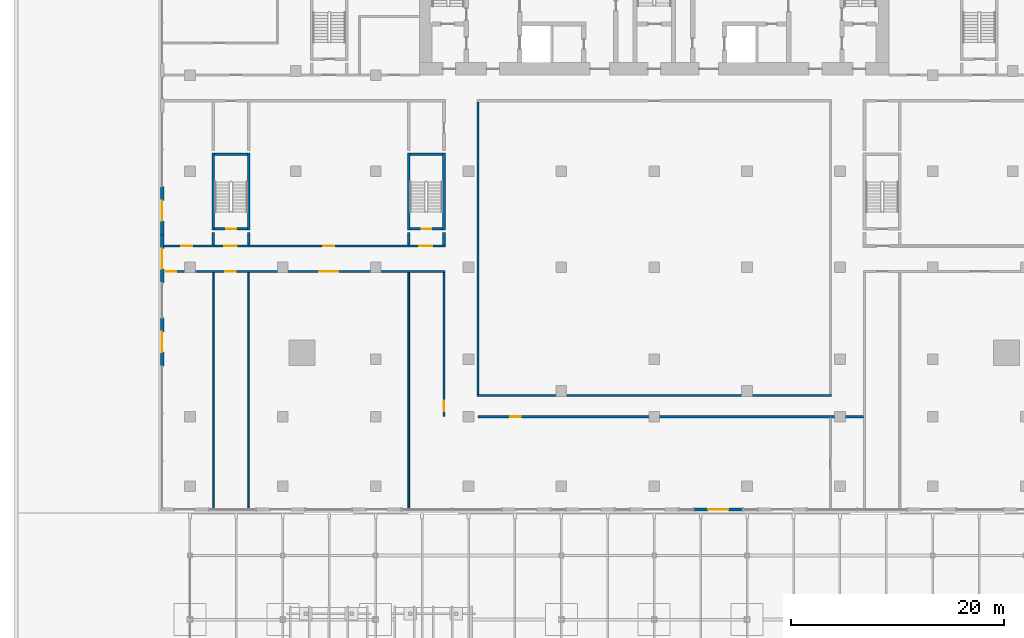
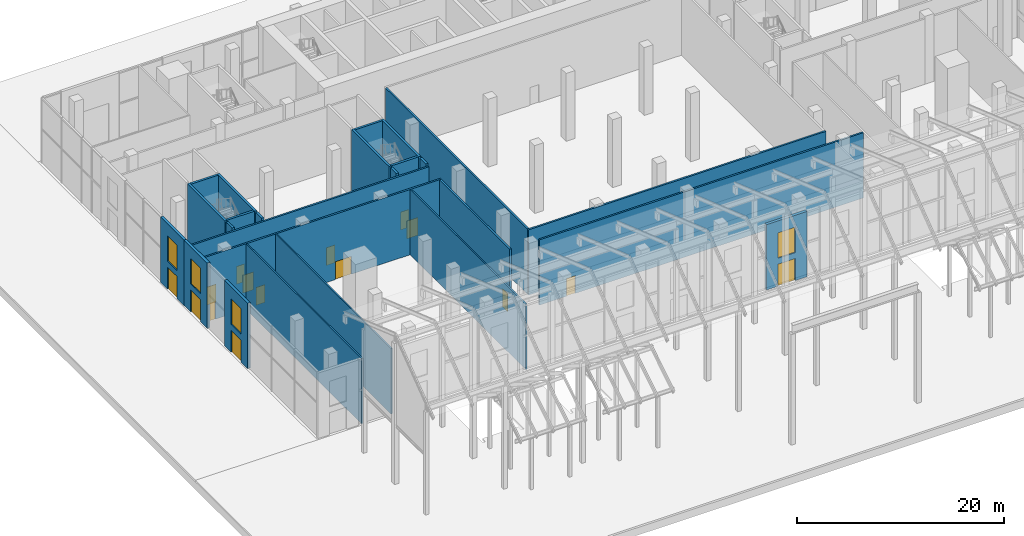
# One storey, part 21 of 31: 25 walls, 15 doors, 4 windows, 19 openings.
"""IFC4 building model written with IfcOpenShell, lengths in metres."""

from ifc_helpers import new_model, si_unit, direction, frame, frame_2d, origin, place, context, subcontext, project, spatial, rectangle, extrude, material, layer, layer_set, layer_usage, type_object, element, fill, save


model = new_model("IFC4")

# Units and contexts
model_context = context("Model", 3, precision=1e-05, world=origin(), true_north=direction((0.0, 1.0)))
body_context = subcontext(model_context, "Body", "Model", "MODEL_VIEW")
ifc_project = project(units=[si_unit("LENGTHUNIT", "METRE"), si_unit("AREAUNIT", "SQUARE_METRE"), si_unit("VOLUMEUNIT", "CUBIC_METRE"), si_unit("PLANEANGLEUNIT", "RADIAN"), si_unit("MASSUNIT", "GRAM", prefix="KILO")], contexts=[model_context])

# Site, building, storey
site_placement = place(None, origin())
site = spatial("IfcSite", under=ifc_project, at=site_placement, CompositionType="ELEMENT")
building_placement = place(site_placement, origin())
building = spatial("IfcBuilding", under=site, at=building_placement, Name="Bicima Exchange Tower", CompositionType="ELEMENT")
storey_placement = place(building_placement, origin())
storey = spatial("IfcBuildingStorey", under=building, at=storey_placement, Name="L00", CompositionType="ELEMENT", Elevation=0.0)

# Wall, openings, window, door
ifc_material_1 = material(Name="Concrete C40/50", Category="concrete")
ifc_layer_1 = layer(ifc_material_1, 0.3)
ifc_layer_set_1 = layer_set([ifc_layer_1], Name="Concrete C40/50")
ifc_layer_usage = layer_usage(ifc_layer_set_1, "AXIS2", "POSITIVE", -0.15)
wall_type_1 = type_object("IfcWallType", Name="Entrance frame wall 300", PredefinedType="STANDARD", material=ifc_layer_set_1)
wall_1_placement = place(storey_placement, frame((8.25, -53.699951171875, 0.0), z_axis=(0.0, 0.0, 1.0), x_axis=(-1.0, 0.0, 0.0)))
wall_1 = element("IfcWall", 1, at=wall_1_placement, inside=storey, type_object=wall_type_1, material=ifc_layer_usage, Name="Entrance frame wall L00 south 13", PredefinedType="STANDARD", context=body_context, shape_type="SweptSolid", body=[
    extrude(rectangle(XDim=4.5, YDim=0.300048828125, at=frame_2d((2.25, 0.0))), origin(), (0.0, 0.0, 1.0), 7.699951171875),
])
opening_1_placement = place(wall_1_placement, frame((1.300048828125, 0.0, 0.0)))
opening_1 = element("IfcOpeningElement", 2, at=opening_1_placement, cuts=wall_1, Name="Opening DX2", PredefinedType="OPENING", context=body_context, shape_type="SweptSolid", body=[
    extrude(rectangle(XDim=1.89990234375, YDim=2.60009765625, at=frame_2d((0.949951171875, 1.300048828125))), frame((0.0, 0.162109375, 0.0), z_axis=(0.0, -1.0, 0.0), x_axis=(1.0, 0.0, 0.0)), (0.0, 0.0, 1.0), 0.323974609375),
])
opening_2_placement = place(wall_1_placement, frame((1.300048828125, 0.0, 3.300048828125)))
opening_2 = element("IfcOpeningElement", 3, at=opening_2_placement, cuts=wall_1, Name="Opening WX1", PredefinedType="OPENING", context=body_context, shape_type="SweptSolid", body=[
    extrude(rectangle(XDim=1.89990234375, YDim=3.0, at=frame_2d((0.949951171875, 1.5))), frame((0.0, 0.162109375, 0.0), z_axis=(0.0, -1.0, 0.0), x_axis=(1.0, 0.0, 0.0)), (0.0, 0.0, 1.0), 0.323974609375),
])
ifc_material_2 = material(Name="Clear low-iron glass", Category="glass")
window_type = type_object("IfcWindowType", Name="Entrance transom light 1900 x 3000", PartitioningType="SINGLE_PANEL", PredefinedType="WINDOW", material=ifc_material_2)
window_1_placement = place(opening_2_placement, origin())
window_1 = element("IfcWindow", 4, at=window_1_placement, inside=storey, type_object=window_type, Name="Entrance transom light L00 south 13", OverallHeight=3.0, OverallWidth=1.89990234375, PartitioningType="SINGLE_PANEL", PredefinedType="WINDOW", context=body_context, shape_type="SweptSolid", body=[
    extrude(rectangle(XDim=1.89990234375, YDim=3.0, at=frame_2d((0.949951171875, 1.5))), frame((0.0, 0.030029296875, 0.0), z_axis=(0.0, -1.0, 0.0), x_axis=(1.0, 0.0, 0.0)), (0.0, 0.0, 1.0), 0.06005859375),
])
fill(opening_2, window_1)
ifc_material_3 = material(Name="Anodised bronze aluminium and bonded safety glass", Category="aluminium")
door_type_1 = type_object("IfcDoorType", Name="Exit door, double leaf 1900 x 2600", OperationType="DOUBLE_DOOR_DOUBLE_SWING", PredefinedType="DOOR", material=ifc_material_3)
door_1_placement = place(opening_1_placement, origin())
door_1 = element("IfcDoor", 5, at=door_1_placement, inside=storey, type_object=door_type_1, Name="Exit door L00 south 13", OperationType="SINGLE_SWING_LEFT", OverallHeight=2.60009765625, OverallWidth=1.89990234375, PredefinedType="DOOR", context=body_context, shape_type="SweptSolid", body=[
    extrude(rectangle(XDim=1.89990234375, YDim=2.60009765625, at=frame_2d((0.949951171875, 1.300048828125))), frame((0.0, 0.02490234375, 0.0), z_axis=(0.0, -1.0, 0.0), x_axis=(1.0, 0.0, 0.0)), (0.0, 0.0, 1.0), 0.050048828125),
])
fill(opening_1, door_1)

wall_2_placement = place(storey_placement, frame((-46.10009765625, -27.949951171875, 0.0), z_axis=(0.0, 0.0, 1.0), x_axis=(0.0, 1.0, 0.0)))
wall_2 = element("IfcWall", 6, at=wall_2_placement, inside=storey, type_object=wall_type_1, material=ifc_layer_usage, Name="Entrance frame wall L00 west 4", PredefinedType="STANDARD", context=body_context, shape_type="SweptSolid", body=[
    extrude(rectangle(XDim=4.5, YDim=0.300048828125, at=frame_2d((2.25, 0.0))), origin(), (0.0, 0.0, 1.0), 7.699951171875),
])
opening_3_placement = place(wall_2_placement, frame((1.300048828125, 0.0, 0.0)))
opening_3 = element("IfcOpeningElement", 7, at=opening_3_placement, cuts=wall_2, Name="Opening DX2", PredefinedType="OPENING", context=body_context, shape_type="SweptSolid", body=[
    extrude(rectangle(XDim=1.89990234375, YDim=2.60009765625, at=frame_2d((0.949951171875, 1.300048828125))), frame((0.0, 0.162109375, 0.0), z_axis=(0.0, -1.0, 0.0), x_axis=(1.0, 0.0, 0.0)), (0.0, 0.0, 1.0), 0.323974609375),
])
opening_4_placement = place(wall_2_placement, frame((1.300048828125, 0.0, 3.300048828125)))
opening_4 = element("IfcOpeningElement", 8, at=opening_4_placement, cuts=wall_2, Name="Opening WX1", PredefinedType="OPENING", context=body_context, shape_type="SweptSolid", body=[
    extrude(rectangle(XDim=1.89990234375, YDim=3.0, at=frame_2d((0.949951171875, 1.5))), frame((0.0, 0.162109375, 0.0), z_axis=(0.0, -1.0, 0.0), x_axis=(1.0, 0.0, 0.0)), (0.0, 0.0, 1.0), 0.323974609375),
])
window_2_placement = place(opening_4_placement, origin())
window_2 = element("IfcWindow", 9, at=window_2_placement, inside=storey, type_object=window_type, Name="Entrance transom light L00 west 4", OverallHeight=3.0, OverallWidth=1.89990234375, PartitioningType="SINGLE_PANEL", PredefinedType="WINDOW", context=body_context, shape_type="SweptSolid", body=[
    extrude(rectangle(XDim=1.89990234375, YDim=3.0, at=frame_2d((0.949951171875, 1.5))), frame((0.0, 0.030029296875, 0.0), z_axis=(0.0, -1.0, 0.0), x_axis=(1.0, 0.0, 0.0)), (0.0, 0.0, 1.0), 0.06005859375),
])
fill(opening_4, window_2)
door_2_placement = place(opening_3_placement, origin())
door_2 = element("IfcDoor", 10, at=door_2_placement, inside=storey, type_object=door_type_1, Name="Exit door L00 west 4", OperationType="SINGLE_SWING_LEFT", OverallHeight=2.60009765625, OverallWidth=1.89990234375, PredefinedType="DOOR", context=body_context, shape_type="SweptSolid", body=[
    extrude(rectangle(XDim=1.89990234375, YDim=2.60009765625, at=frame_2d((0.949951171875, 1.300048828125))), frame((0.0, 0.02490234375, 0.0), z_axis=(0.0, -1.0, 0.0), x_axis=(1.0, 0.0, 0.0)), (0.0, 0.0, 1.0), 0.050048828125),
])
fill(opening_3, door_2)

wall_3_placement = place(storey_placement, frame((-46.10009765625, -32.449951171875, 0.0), z_axis=(0.0, 0.0, 1.0), x_axis=(0.0, 1.0, 0.0)))
wall_3 = element("IfcWall", 11, at=wall_3_placement, inside=storey, type_object=wall_type_1, material=ifc_layer_usage, Name="Entrance frame wall L00 west 5", PredefinedType="STANDARD", context=body_context, shape_type="SweptSolid", body=[
    extrude(rectangle(XDim=4.5, YDim=0.300048828125, at=frame_2d((2.25, 0.0))), origin(), (0.0, 0.0, 1.0), 7.699951171875),
])
opening_5_placement = place(wall_3_placement, frame((1.300048828125, 0.0, 0.0)))
opening_5 = element("IfcOpeningElement", 12, at=opening_5_placement, cuts=wall_3, Name="Opening DX2", PredefinedType="OPENING", context=body_context, shape_type="SweptSolid", body=[
    extrude(rectangle(XDim=1.89990234375, YDim=2.60009765625, at=frame_2d((0.949951171875, 1.300048828125))), frame((0.0, 0.162109375, 0.0), z_axis=(0.0, -1.0, 0.0), x_axis=(1.0, 0.0, 0.0)), (0.0, 0.0, 1.0), 0.323974609375),
])
opening_6_placement = place(wall_3_placement, frame((1.300048828125, 0.0, 3.300048828125)))
opening_6 = element("IfcOpeningElement", 13, at=opening_6_placement, cuts=wall_3, Name="Opening WX1", PredefinedType="OPENING", context=body_context, shape_type="SweptSolid", body=[
    extrude(rectangle(XDim=1.89990234375, YDim=3.0, at=frame_2d((0.949951171875, 1.5))), frame((0.0, 0.162109375, 0.0), z_axis=(0.0, -1.0, 0.0), x_axis=(1.0, 0.0, 0.0)), (0.0, 0.0, 1.0), 0.323974609375),
])
window_3_placement = place(opening_6_placement, origin())
window_3 = element("IfcWindow", 14, at=window_3_placement, inside=storey, type_object=window_type, Name="Entrance transom light L00 west 5", OverallHeight=3.0, OverallWidth=1.89990234375, PartitioningType="SINGLE_PANEL", PredefinedType="WINDOW", context=body_context, shape_type="SweptSolid", body=[
    extrude(rectangle(XDim=1.89990234375, YDim=3.0, at=frame_2d((0.949951171875, 1.5))), frame((0.0, 0.030029296875, 0.0), z_axis=(0.0, -1.0, 0.0), x_axis=(1.0, 0.0, 0.0)), (0.0, 0.0, 1.0), 0.06005859375),
])
fill(opening_6, window_3)
door_3_placement = place(opening_5_placement, origin())
door_3 = element("IfcDoor", 15, at=door_3_placement, inside=storey, type_object=door_type_1, Name="Exit door L00 west 5", OperationType="SINGLE_SWING_LEFT", OverallHeight=2.60009765625, OverallWidth=1.89990234375, PredefinedType="DOOR", context=body_context, shape_type="SweptSolid", body=[
    extrude(rectangle(XDim=1.89990234375, YDim=2.60009765625, at=frame_2d((0.949951171875, 1.300048828125))), frame((0.0, 0.02490234375, 0.0), z_axis=(0.0, -1.0, 0.0), x_axis=(1.0, 0.0, 0.0)), (0.0, 0.0, 1.0), 0.050048828125),
])
fill(opening_5, door_3)

wall_4_placement = place(storey_placement, frame((-46.10009765625, -40.25, 0.0), z_axis=(0.0, 0.0, 1.0), x_axis=(0.0, 1.0, 0.0)))
wall_4 = element("IfcWall", 16, at=wall_4_placement, inside=storey, type_object=wall_type_1, material=ifc_layer_usage, Name="Entrance frame wall L00 west 7", PredefinedType="STANDARD", context=body_context, shape_type="SweptSolid", body=[
    extrude(rectangle(XDim=4.5, YDim=0.300048828125, at=frame_2d((2.25, 0.0))), origin(), (0.0, 0.0, 1.0), 7.699951171875),
])
opening_7_placement = place(wall_4_placement, frame((1.300048828125, 0.0, 0.0)))
opening_7 = element("IfcOpeningElement", 17, at=opening_7_placement, cuts=wall_4, Name="Opening DX2", PredefinedType="OPENING", context=body_context, shape_type="SweptSolid", body=[
    extrude(rectangle(XDim=1.89990234375, YDim=2.60009765625, at=frame_2d((0.949951171875, 1.300048828125))), frame((0.0, 0.162109375, 0.0), z_axis=(0.0, -1.0, 0.0), x_axis=(1.0, 0.0, 0.0)), (0.0, 0.0, 1.0), 0.323974609375),
])
opening_8_placement = place(wall_4_placement, frame((1.300048828125, 0.0, 3.300048828125)))
opening_8 = element("IfcOpeningElement", 18, at=opening_8_placement, cuts=wall_4, Name="Opening WX1", PredefinedType="OPENING", context=body_context, shape_type="SweptSolid", body=[
    extrude(rectangle(XDim=1.89990234375, YDim=3.0, at=frame_2d((0.949951171875, 1.5))), frame((0.0, 0.162109375, 0.0), z_axis=(0.0, -1.0, 0.0), x_axis=(1.0, 0.0, 0.0)), (0.0, 0.0, 1.0), 0.323974609375),
])
window_4_placement = place(opening_8_placement, origin())
window_4 = element("IfcWindow", 19, at=window_4_placement, inside=storey, type_object=window_type, Name="Entrance transom light L00 west 7", OverallHeight=3.0, OverallWidth=1.89990234375, PartitioningType="SINGLE_PANEL", PredefinedType="WINDOW", context=body_context, shape_type="SweptSolid", body=[
    extrude(rectangle(XDim=1.89990234375, YDim=3.0, at=frame_2d((0.949951171875, 1.5))), frame((0.0, 0.030029296875, 0.0), z_axis=(0.0, -1.0, 0.0), x_axis=(1.0, 0.0, 0.0)), (0.0, 0.0, 1.0), 0.06005859375),
])
fill(opening_8, window_4)
door_4_placement = place(opening_7_placement, origin())
door_4 = element("IfcDoor", 20, at=door_4_placement, inside=storey, type_object=door_type_1, Name="Exit door L00 west 7", OperationType="SINGLE_SWING_LEFT", OverallHeight=2.60009765625, OverallWidth=1.89990234375, PredefinedType="DOOR", context=body_context, shape_type="SweptSolid", body=[
    extrude(rectangle(XDim=1.89990234375, YDim=2.60009765625, at=frame_2d((0.949951171875, 1.300048828125))), frame((0.0, 0.02490234375, 0.0), z_axis=(0.0, -1.0, 0.0), x_axis=(1.0, 0.0, 0.0)), (0.0, 0.0, 1.0), 0.050048828125),
])
fill(opening_7, door_4)

# Wall, opening, door
ifc_material_4 = material(Name="Gypsum board partition")
ifc_layer_2 = layer(ifc_material_4, 0.199951171875)
ifc_layer_set_2 = layer_set([ifc_layer_2], Name="Gypsum board partition")
wall_type_2 = type_object("IfcWallType", Name="Fire-rated gypsum partition 200 EI60", PredefinedType="PARTITIONING", material=ifc_layer_set_2)
wall_5_placement = place(storey_placement, frame((-16.5, -45.0, 0.0), z_axis=(0.0, 0.0, 1.0), x_axis=(1.0, 0.0, 0.0)))
wall_5 = element("IfcWall", 21, at=wall_5_placement, inside=storey, type_object=wall_type_2, Name="partition wall 1", PredefinedType="PARTITIONING", context=body_context, shape_type="SweptSolid", body=[
    extrude(rectangle(XDim=36.10009765625, YDim=0.199951171875, at=frame_2d((18.050048828125, 0.0))), origin(), (0.0, 0.0, 1.0), 7.699951171875),
])
opening_9_placement = place(wall_5_placement, frame((3.0, 0.0, 0.0)))
opening_9 = element("IfcOpeningElement", 22, at=opening_9_placement, cuts=wall_5, Name="Opening L00-015", PredefinedType="OPENING", context=body_context, shape_type="SweptSolid", body=[
    extrude(rectangle(XDim=1.0, YDim=2.10009765625, at=frame_2d((0.5, 1.050048828125))), frame((0.0, 0.11181640625, 0.0), z_axis=(0.0, -1.0, 0.0), x_axis=(1.0, 0.0, 0.0)), (0.0, 0.0, 1.0), 0.223876953125),
])
ifc_material_5 = material(Name="Steel fire door leaf", Category="steel")
door_type_2 = type_object("IfcDoorType", Name="Door 1000 swing FD30S", OperationType="SINGLE_SWING_LEFT", PredefinedType="DOOR", material=ifc_material_5)
door_5_placement = place(opening_9_placement, frame((1.0, 0.0, 0.0), z_axis=(0.0, 0.0, 1.0), x_axis=(-1.0, 0.0, 0.0)))
door_5 = element("IfcDoor", 23, at=door_5_placement, inside=storey, type_object=door_type_2, Name="Door", OperationType="SINGLE_SWING_RIGHT", OverallHeight=2.10009765625, OverallWidth=1.0, PredefinedType="DOOR", context=body_context, shape_type="SweptSolid", body=[
    extrude(rectangle(XDim=1.0, YDim=2.10009765625, at=frame_2d((0.5, 1.050048828125))), frame((0.0, 0.02490234375, 0.0), z_axis=(0.0, -1.0, 0.0), x_axis=(1.0, 0.0, 0.0)), (0.0, 0.0, 1.0), 0.050048828125),
])
fill(opening_9, door_5)

# Wall
wall_6_placement = place(storey_placement, frame((-16.60009765625, -43.0, 0.0), z_axis=(0.0, 0.0, 1.0), x_axis=(1.0, 0.0, 0.0)))
element("IfcWall", 24, at=wall_6_placement, inside=storey, type_object=wall_type_2, Name="partition wall 2", PredefinedType="PARTITIONING", context=body_context, shape_type="SweptSolid", body=[
    extrude(rectangle(XDim=33.2001953125, YDim=0.199951171875, at=frame_2d((16.60009765625, 0.0))), origin(), (0.0, 0.0, 1.0), 7.699951171875),
])

# Wall, openings, doors
wall_7_placement = place(storey_placement, frame((-46.18994140625, -31.39990234375, 0.0), z_axis=(0.0, 0.0, 1.0), x_axis=(1.0, 0.0, 0.0)))
wall_7 = element("IfcWall", 25, at=wall_7_placement, inside=storey, type_object=wall_type_2, Name="partition wall 3", PredefinedType="PARTITIONING", context=body_context, shape_type="SweptSolid", body=[
    extrude(rectangle(XDim=26.58984375, YDim=0.199951171875, at=frame_2d((13.294921875, 0.0))), origin(), (0.0, 0.0, 1.0), 7.699951171875),
])
opening_10_placement = place(wall_7_placement, frame((0.39990234375, 0.0, 0.0)))
opening_10 = element("IfcOpeningElement", 26, at=opening_10_placement, cuts=wall_7, Name="Opening L00-020", PredefinedType="OPENING", context=body_context, shape_type="SweptSolid", body=[
    extrude(rectangle(XDim=1.0, YDim=2.10009765625, at=frame_2d((0.5, 1.050048828125))), frame((0.0, 0.11181640625, 0.0), z_axis=(0.0, -1.0, 0.0), x_axis=(1.0, 0.0, 0.0)), (0.0, 0.0, 1.0), 0.223876953125),
])
opening_11_placement = place(wall_7_placement, frame((5.989990234375, 0.0, 0.0)))
opening_11 = element("IfcOpeningElement", 27, at=opening_11_placement, cuts=wall_7, Name="Opening L00-022", PredefinedType="OPENING", context=body_context, shape_type="SweptSolid", body=[
    extrude(rectangle(XDim=1.0, YDim=2.10009765625, at=frame_2d((0.5, 1.050048828125))), frame((0.0, 0.11181640625, 0.0), z_axis=(0.0, -1.0, 0.0), x_axis=(1.0, 0.0, 0.0)), (0.0, 0.0, 1.0), 0.223876953125),
])
opening_12_placement = place(wall_7_placement, frame((14.7900390625, 0.0, 0.0)))
opening_12 = element("IfcOpeningElement", 28, at=opening_12_placement, cuts=wall_7, Name="Opening L00-024", PredefinedType="OPENING", context=body_context, shape_type="SweptSolid", body=[
    extrude(rectangle(XDim=1.800048828125, YDim=2.10009765625, at=frame_2d((0.89990234375, 1.050048828125))), frame((0.0, 0.11181640625, 0.0), z_axis=(0.0, -1.0, 0.0), x_axis=(1.0, 0.0, 0.0)), (0.0, 0.0, 1.0), 0.223876953125),
])
door_6_placement = place(opening_10_placement, frame((1.0, 0.0, 0.0), z_axis=(0.0, 0.0, 1.0), x_axis=(-1.0, 0.0, 0.0)))
door_6 = element("IfcDoor", 29, at=door_6_placement, inside=storey, type_object=door_type_2, Name="Door", OperationType="SINGLE_SWING_RIGHT", OverallHeight=2.10009765625, OverallWidth=1.0, PredefinedType="DOOR", context=body_context, shape_type="SweptSolid", body=[
    extrude(rectangle(XDim=1.0, YDim=2.10009765625, at=frame_2d((0.5, 1.050048828125))), frame((0.0, 0.02490234375, 0.0), z_axis=(0.0, -1.0, 0.0), x_axis=(1.0, 0.0, 0.0)), (0.0, 0.0, 1.0), 0.050048828125),
])
fill(opening_10, door_6)
door_7_placement = place(opening_11_placement, frame((1.0, 0.0, 0.0), z_axis=(0.0, 0.0, 1.0), x_axis=(-1.0, 0.0, 0.0)))
door_7 = element("IfcDoor", 30, at=door_7_placement, inside=storey, type_object=door_type_2, Name="Door", OperationType="SINGLE_SWING_LEFT", OverallHeight=2.10009765625, OverallWidth=1.0, PredefinedType="DOOR", context=body_context, shape_type="SweptSolid", body=[
    extrude(rectangle(XDim=1.0, YDim=2.10009765625, at=frame_2d((0.5, 1.050048828125))), frame((0.0, 0.02490234375, 0.0), z_axis=(0.0, -1.0, 0.0), x_axis=(1.0, 0.0, 0.0)), (0.0, 0.0, 1.0), 0.050048828125),
])
fill(opening_11, door_7)
door_type_3 = type_object("IfcDoorType", Name="Door 1800 double swing FD30S", OperationType="DOUBLE_DOOR_SINGLE_SWING", PredefinedType="DOOR", material=ifc_material_5)
door_8_placement = place(opening_12_placement, origin())
door_8 = element("IfcDoor", 31, at=door_8_placement, inside=storey, type_object=door_type_3, Name="Door", OperationType="SINGLE_SWING_LEFT", OverallHeight=2.10009765625, OverallWidth=1.800048828125, PredefinedType="DOOR", context=body_context, shape_type="SweptSolid", body=[
    extrude(rectangle(XDim=1.800048828125, YDim=2.10009765625, at=frame_2d((0.89990234375, 1.050048828125))), frame((0.0, 0.02490234375, 0.0), z_axis=(0.0, -1.0, 0.0), x_axis=(1.0, 0.0, 0.0)), (0.0, 0.0, 1.0), 0.050048828125),
])
fill(opening_12, door_8)

wall_8_placement = place(storey_placement, frame((-46.18994140625, -29.0, 0.0), z_axis=(0.0, 0.0, 1.0), x_axis=(1.0, 0.0, 0.0)))
wall_8 = element("IfcWall", 32, at=wall_8_placement, inside=storey, type_object=wall_type_2, Name="partition wall 5", PredefinedType="PARTITIONING", context=body_context, shape_type="SweptSolid", body=[
    extrude(rectangle(XDim=26.614990234375, YDim=0.199951171875, at=frame_2d((13.3076171875, 0.0))), origin(), (0.0, 0.0, 1.0), 7.699951171875),
])
opening_13_placement = place(wall_8_placement, frame((5.889892578125, 0.0, 0.0)))
opening_13 = element("IfcOpeningElement", 33, at=opening_13_placement, cuts=wall_8, Name="Opening L00-001", PredefinedType="OPENING", context=body_context, shape_type="SweptSolid", body=[
    extrude(rectangle(XDim=1.199951171875, YDim=2.10009765625, at=frame_2d((0.60009765625, 1.050048828125))), frame((0.0, 0.11181640625, 0.0), z_axis=(0.0, -1.0, 0.0), x_axis=(1.0, 0.0, 0.0)), (0.0, 0.0, 1.0), 0.223876953125),
])
opening_14_placement = place(wall_8_placement, frame((24.18994140625, 0.0, 0.0)))
opening_14 = element("IfcOpeningElement", 34, at=opening_14_placement, cuts=wall_8, Name="Opening L00-003", PredefinedType="OPENING", context=body_context, shape_type="SweptSolid", body=[
    extrude(rectangle(XDim=1.199951171875, YDim=2.10009765625, at=frame_2d((0.60009765625, 1.050048828125))), frame((0.0, 0.11181640625, 0.0), z_axis=(0.0, -1.0, 0.0), x_axis=(1.0, 0.0, 0.0)), (0.0, 0.0, 1.0), 0.223876953125),
])
opening_15_placement = place(wall_8_placement, frame((1.89990234375, 0.0, 0.0)))
opening_15 = element("IfcOpeningElement", 35, at=opening_15_placement, cuts=wall_8, Name="Opening L00-019", PredefinedType="OPENING", context=body_context, shape_type="SweptSolid", body=[
    extrude(rectangle(XDim=1.0, YDim=2.10009765625, at=frame_2d((0.5, 1.050048828125))), frame((0.0, 0.11181640625, 0.0), z_axis=(0.0, -1.0, 0.0), x_axis=(1.0, 0.0, 0.0)), (0.0, 0.0, 1.0), 0.223876953125),
])
opening_16_placement = place(wall_8_placement, frame((15.18994140625, 0.0, 0.0)))
opening_16 = element("IfcOpeningElement", 36, at=opening_16_placement, cuts=wall_8, Name="Opening L00-023", PredefinedType="OPENING", context=body_context, shape_type="SweptSolid", body=[
    extrude(rectangle(XDim=1.0, YDim=2.10009765625, at=frame_2d((0.5, 1.050048828125))), frame((0.0, 0.11181640625, 0.0), z_axis=(0.0, -1.0, 0.0), x_axis=(1.0, 0.0, 0.0)), (0.0, 0.0, 1.0), 0.223876953125),
])
door_9_placement = place(opening_15_placement, origin())
door_9 = element("IfcDoor", 37, at=door_9_placement, inside=storey, type_object=door_type_2, Name="Door", OperationType="SINGLE_SWING_LEFT", OverallHeight=2.10009765625, OverallWidth=1.0, PredefinedType="DOOR", context=body_context, shape_type="SweptSolid", body=[
    extrude(rectangle(XDim=1.0, YDim=2.10009765625, at=frame_2d((0.5, 1.050048828125))), frame((0.0, 0.02490234375, 0.0), z_axis=(0.0, -1.0, 0.0), x_axis=(1.0, 0.0, 0.0)), (0.0, 0.0, 1.0), 0.050048828125),
])
fill(opening_15, door_9)
door_10_placement = place(opening_16_placement, origin())
door_10 = element("IfcDoor", 38, at=door_10_placement, inside=storey, type_object=door_type_2, Name="Door", OperationType="SINGLE_SWING_LEFT", OverallHeight=2.10009765625, OverallWidth=1.0, PredefinedType="DOOR", context=body_context, shape_type="SweptSolid", body=[
    extrude(rectangle(XDim=1.0, YDim=2.10009765625, at=frame_2d((0.5, 1.050048828125))), frame((0.0, 0.02490234375, 0.0), z_axis=(0.0, -1.0, 0.0), x_axis=(1.0, 0.0, 0.0)), (0.0, 0.0, 1.0), 0.050048828125),
])
fill(opening_16, door_10)
door_type_4 = type_object("IfcDoorType", Name="Door 1200 swing FD30S", OperationType="SINGLE_SWING_LEFT", PredefinedType="DOOR", material=ifc_material_5)
door_11_placement = place(opening_13_placement, origin())
door_11 = element("IfcDoor", 39, at=door_11_placement, inside=storey, type_object=door_type_4, Name="Door", OperationType="SINGLE_SWING_LEFT", OverallHeight=2.10009765625, OverallWidth=1.199951171875, PredefinedType="DOOR", context=body_context, shape_type="SweptSolid", body=[
    extrude(rectangle(XDim=1.199951171875, YDim=2.10009765625, at=frame_2d((0.60009765625, 1.050048828125))), frame((0.0, 0.02490234375, 0.0), z_axis=(0.0, -1.0, 0.0), x_axis=(1.0, 0.0, 0.0)), (0.0, 0.0, 1.0), 0.050048828125),
])
fill(opening_13, door_11)
door_12_placement = place(opening_14_placement, origin())
door_12 = element("IfcDoor", 40, at=door_12_placement, inside=storey, type_object=door_type_4, Name="Door", OperationType="SINGLE_SWING_RIGHT", OverallHeight=2.10009765625, OverallWidth=1.199951171875, PredefinedType="DOOR", context=body_context, shape_type="SweptSolid", body=[
    extrude(rectangle(XDim=1.199951171875, YDim=2.10009765625, at=frame_2d((0.60009765625, 1.050048828125))), frame((0.0, 0.02490234375, 0.0), z_axis=(0.0, -1.0, 0.0), x_axis=(1.0, 0.0, 0.0)), (0.0, 0.0, 1.0), 0.050048828125),
])
fill(opening_14, door_12)

# Wall, opening, door
wall_9_placement = place(storey_placement, frame((-19.699951171875, -45.0, 0.0), z_axis=(0.0, 0.0, 1.0), x_axis=(0.0, 1.0, 0.0)))
wall_9 = element("IfcWall", 41, at=wall_9_placement, inside=storey, type_object=wall_type_2, Name="partition wall 41", PredefinedType="PARTITIONING", context=body_context, shape_type="SweptSolid", body=[
    extrude(rectangle(XDim=13.5, YDim=0.199951171875, at=frame_2d((6.75, 0.0))), origin(), (0.0, 0.0, 1.0), 7.699951171875),
])
opening_17_placement = place(wall_9_placement, frame((0.5, 0.0, 0.0)))
opening_17 = element("IfcOpeningElement", 42, at=opening_17_placement, cuts=wall_9, Name="Opening L00-026", PredefinedType="OPENING", context=body_context, shape_type="SweptSolid", body=[
    extrude(rectangle(XDim=1.0, YDim=2.10009765625, at=frame_2d((0.5, 1.050048828125))), frame((0.0, 0.11181640625, 0.0), z_axis=(0.0, -1.0, 0.0), x_axis=(1.0, 0.0, 0.0)), (0.0, 0.0, 1.0), 0.223876953125),
])
door_13_placement = place(opening_17_placement, origin())
door_13 = element("IfcDoor", 43, at=door_13_placement, inside=storey, type_object=door_type_2, Name="Door", OperationType="SINGLE_SWING_LEFT", OverallHeight=2.10009765625, OverallWidth=1.0, PredefinedType="DOOR", context=body_context, shape_type="SweptSolid", body=[
    extrude(rectangle(XDim=1.0, YDim=2.10009765625, at=frame_2d((0.5, 1.050048828125))), frame((0.0, 0.02490234375, 0.0), z_axis=(0.0, -1.0, 0.0), x_axis=(1.0, 0.0, 0.0)), (0.0, 0.0, 1.0), 0.050048828125),
])
fill(opening_17, door_13)

# Walls
wall_10_placement = place(storey_placement, frame((-16.5, -42.89990234375, 0.0), z_axis=(0.0, 0.0, 1.0), x_axis=(0.0, 1.0, 0.0)))
element("IfcWall", 44, at=wall_10_placement, inside=storey, type_object=wall_type_2, Name="partition wall 43", PredefinedType="PARTITIONING", context=body_context, shape_type="SweptSolid", body=[
    extrude(rectangle(XDim=27.39990234375, YDim=0.199951171875, at=frame_2d((13.699951171875, 0.0))), origin(), (0.0, 0.0, 1.0), 7.699951171875),
])
ifc_layer_3 = layer(ifc_material_4, 0.14990234375)
ifc_layer_set_3 = layer_set([ifc_layer_3], Name="Gypsum board partition")
wall_type_3 = type_object("IfcWallType", Name="Gypsum partition 150", PredefinedType="PARTITIONING", material=ifc_layer_set_3)
for number, where, z_axis, x_axis, name in (
    (45, (-41.300048828125, -53.7900390625, 0.0), (0.0, 0.0, 1.0), (0.0, 1.0, 0.0), "partition wall 31"),
    (46, (-38.0, -53.7900390625, 0.0), (0.0, 0.0, 1.0), (0.0, 1.0, 0.0), "partition wall 33"),
    (47, (-23.0, -53.7900390625, 0.0), (0.0, 0.0, 1.0), (0.0, 1.0, 0.0), "partition wall 39"),
):
    element("IfcWall", number, at=place(storey_placement, frame(where, z_axis=z_axis, x_axis=x_axis)), inside=storey, type_object=wall_type_3, Name=name, PredefinedType="PARTITIONING", context=body_context, shape_type="SweptSolid", body=[
        extrude(rectangle(XDim=22.2900390625, YDim=0.14990234375, at=frame_2d((11.14501953125, 0.0))), origin(), (0.0, 0.0, 1.0), 7.699951171875),
    ])
ifc_material_6 = material(Name="Concrete C50/60", Category="concrete")
ifc_layer_4 = layer(ifc_material_6, 0.25)
ifc_layer_set_4 = layer_set([ifc_layer_4], Name="Concrete C50/60")
wall_type_4 = type_object("IfcWallType", Name="RC core wall 250 C50/60", PredefinedType="SHEAR", material=ifc_layer_set_4)
for number, where, z_axis, x_axis, name in (
    (48, (-41.300048828125, -28.89990234375, 0.0), (0.0, 0.0, 1.0), (0.0, 1.0, 0.0), "stair wall 32"),
    (49, (-38.0, -28.89990234375, 0.0), (0.0, 0.0, 1.0), (0.0, 1.0, 0.0), "stair wall 34"),
    (50, (-23.0, -28.89990234375, 0.0), (0.0, 0.0, 1.0), (0.0, 1.0, 0.0), "stair wall 40"),
    (51, (-19.699951171875, -28.89990234375, 0.0), (0.0, 0.0, 1.0), (0.0, 1.0, 0.0), "stair wall 42"),
):
    element("IfcWall", number, at=place(storey_placement, frame(where, z_axis=z_axis, x_axis=x_axis)), inside=storey, type_object=wall_type_4, Name=name, PredefinedType="SHEAR", context=body_context, shape_type="SweptSolid", body=[
        extrude(rectangle(XDim=1.14990234375, YDim=0.25, at=frame_2d((0.574951171875, 0.0))), origin(), (0.0, 0.0, 1.0), 8.0),
    ])
ifc_layer_5 = layer(ifc_material_6, 0.25)
ifc_layer_set_5 = layer_set([ifc_layer_5], Name="Concrete C50/60")
wall_type_5 = type_object("IfcWallType", Name="RC stair enclosure wall 250 C50/60", PredefinedType="SHEAR", material=ifc_layer_set_5)
for number, where, z_axis, x_axis, name in (
    (52, (-41.300048828125, -27.52490234375, 0.0), (0.0, 0.0, 1.0), (0.0, 1.0, 0.0), "Podium west stair wall W"),
    (53, (-38.0, -27.52490234375, 0.0), (0.0, 0.0, 1.0), (0.0, 1.0, 0.0), "Podium west stair wall E"),
):
    element("IfcWall", number, at=place(storey_placement, frame(where, z_axis=z_axis, x_axis=x_axis)), inside=storey, type_object=wall_type_5, Name=name, PredefinedType="SHEAR", context=body_context, shape_type="SweptSolid", body=[
        extrude(rectangle(XDim=7.25, YDim=0.25, at=frame_2d((3.625, 0.0))), origin(), (0.0, 0.0, 1.0), 8.0),
    ])

# Wall, opening, door
wall_11_placement = place(storey_placement, frame((-41.175048828125, -27.39990234375, 0.0), z_axis=(0.0, 0.0, 1.0), x_axis=(1.0, 0.0, 0.0)))
wall_11 = element("IfcWall", 54, at=wall_11_placement, inside=storey, type_object=wall_type_5, Name="Podium west stair wall S", PredefinedType="SHEAR", context=body_context, shape_type="SweptSolid", body=[
    extrude(rectangle(XDim=3.050048828125, YDim=0.25, at=frame_2d((1.52490234375, 0.0))), origin(), (0.0, 0.0, 1.0), 8.0),
])
opening_18_placement = place(wall_11_placement, frame((1.10009765625, 0.0, 0.0)))
opening_18 = element("IfcOpeningElement", 55, at=opening_18_placement, cuts=wall_11, Name="Opening L00-002", PredefinedType="OPENING", context=body_context, shape_type="SweptSolid", body=[
    extrude(rectangle(XDim=0.89990234375, YDim=2.10009765625, at=frame_2d((0.449951171875, 1.050048828125))), frame((0.0, 0.136962890625, 0.0), z_axis=(0.0, -1.0, 0.0), x_axis=(1.0, 0.0, 0.0)), (0.0, 0.0, 1.0), 0.27392578125),
])
door_type_5 = type_object("IfcDoorType", Name="Door 900 swing FD60S", OperationType="SINGLE_SWING_LEFT", PredefinedType="DOOR", material=ifc_material_5)
door_14_placement = place(opening_18_placement, origin())
door_14 = element("IfcDoor", 56, at=door_14_placement, inside=storey, type_object=door_type_5, Name="Door", OperationType="SINGLE_SWING_LEFT", OverallHeight=2.10009765625, OverallWidth=0.89990234375, PredefinedType="DOOR", context=body_context, shape_type="SweptSolid", body=[
    extrude(rectangle(XDim=0.89990234375, YDim=2.10009765625, at=frame_2d((0.449951171875, 1.050048828125))), frame((0.0, 0.02490234375, 0.0), z_axis=(0.0, -1.0, 0.0), x_axis=(1.0, 0.0, 0.0)), (0.0, 0.0, 1.0), 0.050048828125),
])
fill(opening_18, door_14)

# Walls
wall_12_placement = place(storey_placement, frame((-41.175048828125, -20.39990234375, 0.0), z_axis=(0.0, 0.0, 1.0), x_axis=(1.0, 0.0, 0.0)))
element("IfcWall", 57, at=wall_12_placement, inside=storey, type_object=wall_type_5, Name="Podium west stair wall N", PredefinedType="SHEAR", context=body_context, shape_type="SweptSolid", body=[
    extrude(rectangle(XDim=3.050048828125, YDim=0.25, at=frame_2d((1.52490234375, 0.0))), origin(), (0.0, 0.0, 1.0), 8.0),
])
for number, where, z_axis, x_axis, name in (
    (58, (-23.0, -27.52490234375, 0.0), (0.0, 0.0, 1.0), (0.0, 1.0, 0.0), "Podium inner west stair wall W"),
    (59, (-19.699951171875, -27.52490234375, 0.0), (0.0, 0.0, 1.0), (0.0, 1.0, 0.0), "Podium inner west stair wall E"),
):
    element("IfcWall", number, at=place(storey_placement, frame(where, z_axis=z_axis, x_axis=x_axis)), inside=storey, type_object=wall_type_5, Name=name, PredefinedType="SHEAR", context=body_context, shape_type="SweptSolid", body=[
        extrude(rectangle(XDim=7.25, YDim=0.25, at=frame_2d((3.625, 0.0))), origin(), (0.0, 0.0, 1.0), 8.0),
    ])

# Wall, opening, door
wall_13_placement = place(storey_placement, frame((-22.875, -27.39990234375, 0.0), z_axis=(0.0, 0.0, 1.0), x_axis=(1.0, 0.0, 0.0)))
wall_13 = element("IfcWall", 60, at=wall_13_placement, inside=storey, type_object=wall_type_5, Name="Podium inner west stair wall S", PredefinedType="SHEAR", context=body_context, shape_type="SweptSolid", body=[
    extrude(rectangle(XDim=3.050048828125, YDim=0.25, at=frame_2d((1.52490234375, 0.0))), origin(), (0.0, 0.0, 1.0), 8.0),
])
opening_19_placement = place(wall_13_placement, frame((1.10009765625, 0.0, 0.0)))
opening_19 = element("IfcOpeningElement", 61, at=opening_19_placement, cuts=wall_13, Name="Opening L00-004", PredefinedType="OPENING", context=body_context, shape_type="SweptSolid", body=[
    extrude(rectangle(XDim=0.89990234375, YDim=2.10009765625, at=frame_2d((0.449951171875, 1.050048828125))), frame((0.0, 0.136962890625, 0.0), z_axis=(0.0, -1.0, 0.0), x_axis=(1.0, 0.0, 0.0)), (0.0, 0.0, 1.0), 0.27392578125),
])
door_15_placement = place(opening_19_placement, origin())
door_15 = element("IfcDoor", 62, at=door_15_placement, inside=storey, type_object=door_type_5, Name="Door", OperationType="SINGLE_SWING_LEFT", OverallHeight=2.10009765625, OverallWidth=0.89990234375, PredefinedType="DOOR", context=body_context, shape_type="SweptSolid", body=[
    extrude(rectangle(XDim=0.89990234375, YDim=2.10009765625, at=frame_2d((0.449951171875, 1.050048828125))), frame((0.0, 0.02490234375, 0.0), z_axis=(0.0, -1.0, 0.0), x_axis=(1.0, 0.0, 0.0)), (0.0, 0.0, 1.0), 0.050048828125),
])
fill(opening_19, door_15)

# Wall
wall_14_placement = place(storey_placement, frame((-22.875, -20.39990234375, 0.0), z_axis=(0.0, 0.0, 1.0), x_axis=(1.0, 0.0, 0.0)))
element("IfcWall", 63, at=wall_14_placement, inside=storey, type_object=wall_type_5, Name="Podium inner west stair wall N", PredefinedType="SHEAR", context=body_context, shape_type="SweptSolid", body=[
    extrude(rectangle(XDim=3.050048828125, YDim=0.25, at=frame_2d((1.52490234375, 0.0))), origin(), (0.0, 0.0, 1.0), 8.0),
])

save(model, "model.ifc")
